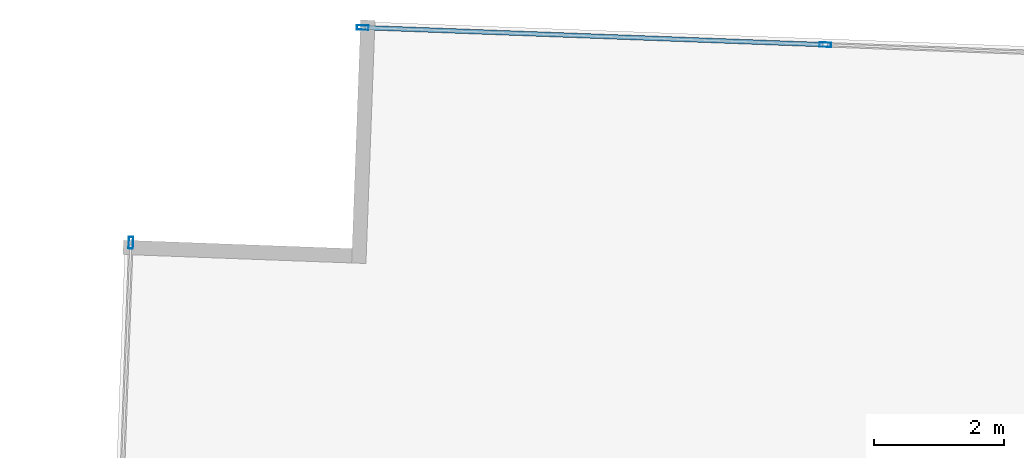
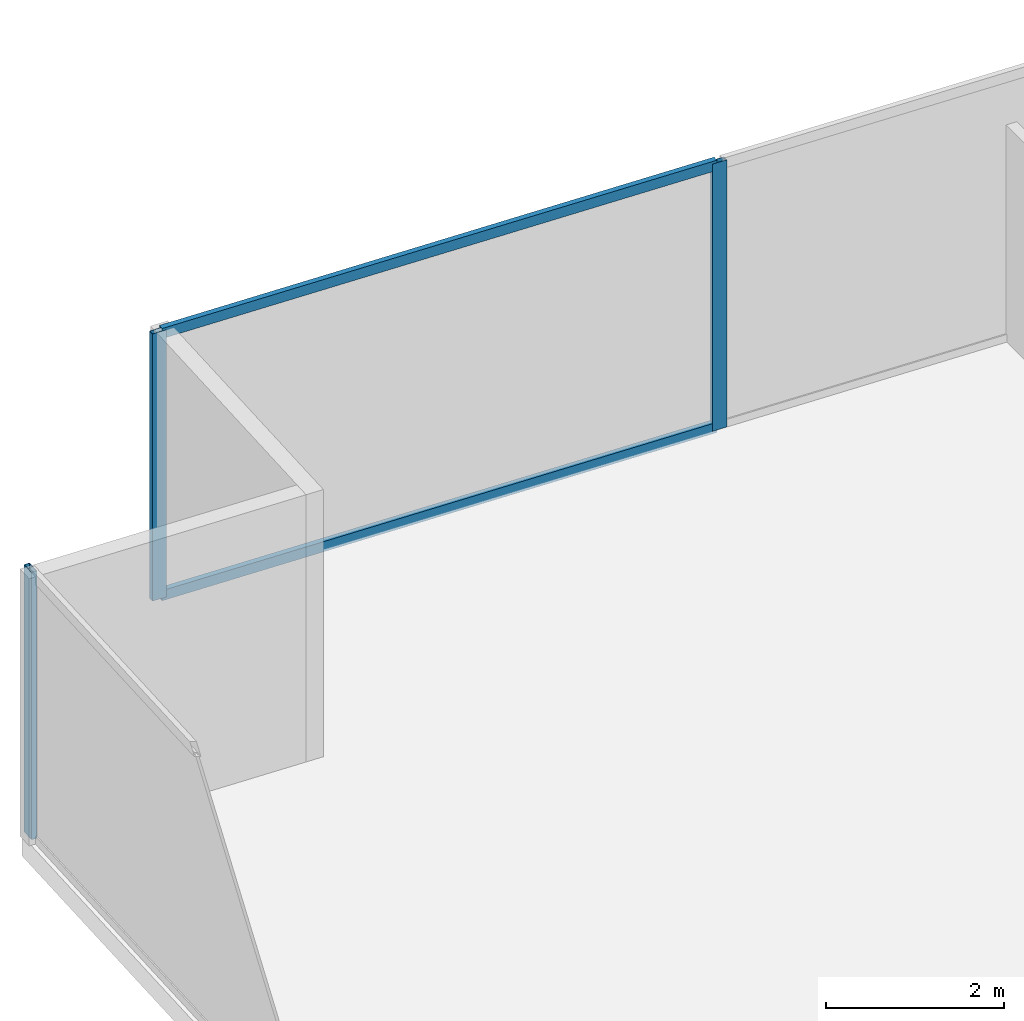
# One storey, part 21 of 30: 5 members, 2 elements without a shape of their own.
"""IFC4 building model written with IfcOpenShell, lengths in metres."""

from ifc_helpers import new_model, si_unit, direction, frame, origin, origin_2d, place, context, subcontext, project, spatial, hollow_rectangle, extrude, source, transform, mapped, material, material_profile, profile_set, type_object, type_shapes, element, aggregate, save


model = new_model("IFC4")

# Units and contexts
model_context = context("Model", 3, precision=1e-05, world=origin(), true_north=direction((0.0, 1.0)))
body_context = subcontext(model_context, "Body", "Model", "MODEL_VIEW")
ifc_project = project(units=[si_unit("LENGTHUNIT", "METRE"), si_unit("AREAUNIT", "SQUARE_METRE"), si_unit("VOLUMEUNIT", "CUBIC_METRE"), si_unit("PLANEANGLEUNIT", "RADIAN"), si_unit("MASSUNIT", "GRAM", prefix="KILO")], contexts=[model_context])

# Site, building, storey
site_placement = place(None, origin())
site = spatial("IfcSite", under=ifc_project, at=site_placement, CompositionType="ELEMENT")
building_placement = place(site_placement, origin())
building = spatial("IfcBuilding", under=site, at=building_placement, Name="Krantzveldt Concourse Tower", CompositionType="ELEMENT")
storey_placement = place(building_placement, frame((0.0, 0.0, 40.800048828125)))
storey = spatial("IfcBuildingStorey", under=building, at=storey_placement, Name="L09", CompositionType="ELEMENT", Elevation=40.800048828125)

# Curtain wall, member
ifc_material = material(Name="Anodised aluminium 6063-T6", Category="aluminium")
curtain_wall_type = type_object("IfcCurtainWallType", Name="CW2", PredefinedType="USERDEFINED", material=ifc_material)
curtain_wall_1_placement = place(storey_placement, origin())
curtain_wall_1 = element("IfcCurtainWall", 1, at=curtain_wall_1_placement, inside=storey, type_object=curtain_wall_type, Name="CW-L09-F01", ObjectType="UNITISED CURTAIN WALL", PredefinedType="USERDEFINED")
ifc_material_profile_1 = material_profile(ifc_material, hollow_rectangle(XDim=0.070068359375, YDim=0.179931640625, WallThickness=0.0048828125, at=origin_2d()), Name="Anodised aluminium 6063-T6", Category="aluminium")
ifc_profile_set_1 = profile_set([ifc_material_profile_1], Name="Anodised aluminium 6063-T6 - ALU-MULL 180x70x5")
member_type_1 = type_object("IfcMemberType", Name="CW-MUL-180", PredefinedType="MULLION", material=ifc_profile_set_1)
shared_shape_1 = source(origin(), body_context, "Body", "SweptSolid", [
    extrude(hollow_rectangle(XDim=0.070068359375, YDim=0.179931640625, WallThickness=0.0048828125, at=origin_2d()), origin(), (0.0, 0.0, 1.0), 3.669921875),
])
type_shapes(member_type_1, [shared_shape_1])
member_1_placement = place(storey_placement, frame((11.903076171875, 49.073974609375, 0.0), z_axis=(0.0, 0.0, 1.0), x_axis=(0.999312308986, -0.037079766834, 0.0)))
member_1 = element("IfcMember", 2, at=member_1_placement, type_object=member_type_1, Name="CW-Z12 mullion 1", PredefinedType="MULLION", context=body_context, shape_type="MappedRepresentation", body=[
    mapped(shared_shape_1, transform((0.0, 0.0, 0.0), x_axis=(1.0, 0.0, 0.0), y_axis=(0.0, 1.0, 0.0), z_axis=(0.0, 0.0, 1.0), scale=1.0)),
])
aggregate(curtain_wall_1, [member_1])

# Curtain wall, members
curtain_wall_2_placement = place(storey_placement, origin())
curtain_wall_2 = element("IfcCurtainWall", 3, at=curtain_wall_2_placement, inside=storey, type_object=curtain_wall_type, Name="CW-L09-F10", ObjectType="UNITISED CURTAIN WALL", PredefinedType="USERDEFINED")
member_2_placement = place(storey_placement, frame((22.60009765625, 52.124267578125, 0.0), z_axis=(0.0, 0.0, 1.0), x_axis=(-0.037079766834, -0.999312308986, 0.0)))
member_2 = element("IfcMember", 4, at=member_2_placement, type_object=member_type_1, Name="CW-Z12 mullion 6", PredefinedType="MULLION", context=body_context, shape_type="MappedRepresentation", body=[
    mapped(shared_shape_1, transform((0.0, 0.0, 0.0), x_axis=(1.0, 0.0, 0.0), y_axis=(0.0, 1.0, 0.0), z_axis=(0.0, 0.0, 1.0), scale=1.0)),
])
member_3_placement = place(storey_placement, frame((15.473388671875, 52.388671875, 0.0), z_axis=(0.0, 0.0, 1.0), x_axis=(-0.037079766834, -0.999312308986, 0.0)))
member_3 = element("IfcMember", 5, at=member_3_placement, type_object=member_type_1, Name="CW-Z12 mullion 7", PredefinedType="MULLION", context=body_context, shape_type="MappedRepresentation", body=[
    mapped(shared_shape_1, transform((0.0, 0.0, 0.0), x_axis=(1.0, 0.0, 0.0), y_axis=(0.0, 1.0, 0.0), z_axis=(0.0, 0.0, 1.0), scale=1.0)),
])
ifc_material_profile_2 = material_profile(ifc_material, hollow_rectangle(XDim=0.070068359375, YDim=0.139892578125, WallThickness=0.0048828125, at=origin_2d()), Name="Anodised aluminium 6063-T6", Category="aluminium")
ifc_profile_set_2 = profile_set([ifc_material_profile_2], Name="Anodised aluminium 6063-T6 - ALU-TRAN 140x70x5")
member_type_2 = type_object("IfcMemberType", Name="CW-TRN-150", PredefinedType="USERDEFINED", material=ifc_profile_set_2)
shared_shape_2 = source(origin(), body_context, "Body", "SweptSolid", [
    extrude(hollow_rectangle(XDim=0.070068359375, YDim=0.139892578125, WallThickness=0.0048828125, at=origin_2d()), origin(), (0.0, 0.0, 1.0), 7.061767578125),
])
type_shapes(member_type_2, [shared_shape_2])
member_4_placement = place(storey_placement, frame((22.565185546875, 52.125732421875, 0.034912109375), z_axis=(-0.999312985508, 0.037061529855, 0.0), x_axis=(-0.037061529855, -0.999312985508, 0.0)))
member_4 = element("IfcMember", 6, at=member_4_placement, type_object=member_type_2, Name="CW-Z12 transom 6.1", ObjectType="TRANSOM", PredefinedType="USERDEFINED", context=body_context, shape_type="MappedRepresentation", body=[
    mapped(shared_shape_2, transform((0.0, 0.0, 0.0), x_axis=(1.0, 0.0, 0.0), y_axis=(0.0, 1.0, 0.0), z_axis=(0.0, 0.0, 1.0), scale=1.0)),
])
member_5_placement = place(storey_placement, frame((22.565185546875, 52.125732421875, 3.635009765625), z_axis=(-0.999312985508, 0.037061529855, 0.0), x_axis=(-0.037061529855, -0.999312985508, 0.0)))
member_5 = element("IfcMember", 7, at=member_5_placement, type_object=member_type_2, Name="CW-Z12 transom 6.2", ObjectType="TRANSOM", PredefinedType="USERDEFINED", context=body_context, shape_type="MappedRepresentation", body=[
    mapped(shared_shape_2, transform((0.0, 0.0, 0.0), x_axis=(1.0, 0.0, 0.0), y_axis=(0.0, 1.0, 0.0), z_axis=(0.0, 0.0, 1.0), scale=1.0)),
])
aggregate(curtain_wall_2, [member_2, member_3, member_4, member_5])

save(model, "model.ifc")
